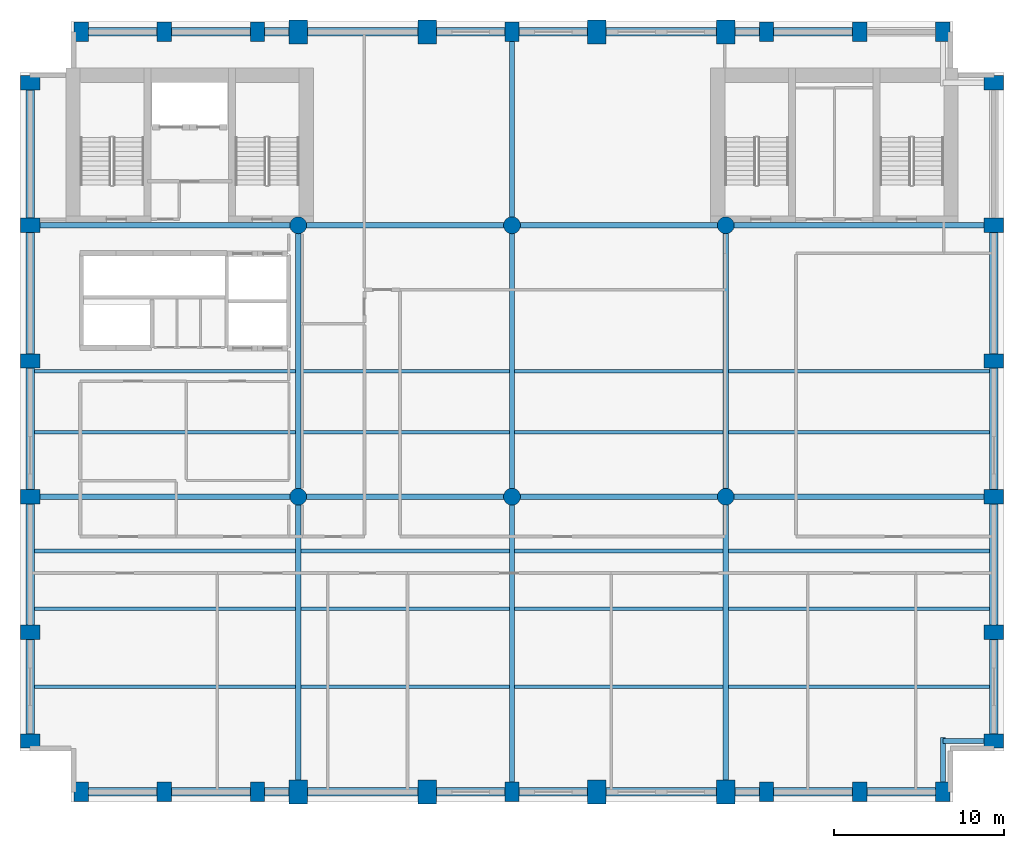
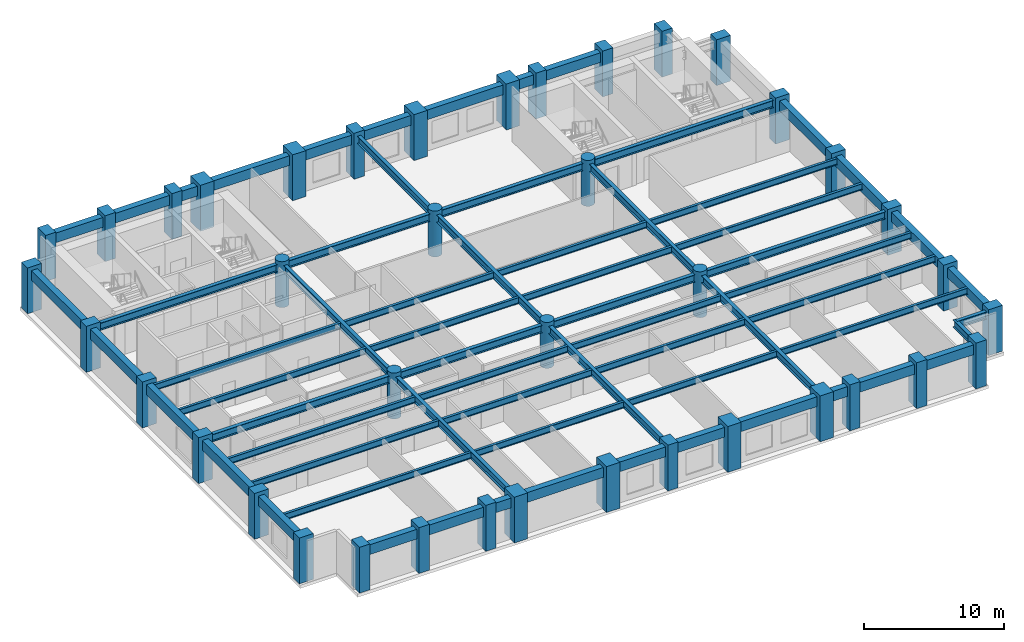
# One storey, part 1 of 8: 65 beams, 40 columns.
"""IFC4 building model written with IfcOpenShell, lengths in metres."""

from ifc_helpers import new_model, si_unit, direction, frame, origin, origin_2d, place, context, subcontext, project, spatial, rectangle, circle, i_section, extrude, material, material_profile, profile_set, type_object, element, save


model = new_model("IFC4")

# Units and contexts
model_context = context("Model", 3, precision=1e-05, world=origin(), true_north=direction((0.0, 1.0)))
body_context = subcontext(model_context, "Body", "Model", "MODEL_VIEW")
ifc_project = project(units=[si_unit("LENGTHUNIT", "METRE"), si_unit("AREAUNIT", "SQUARE_METRE"), si_unit("VOLUMEUNIT", "CUBIC_METRE"), si_unit("PLANEANGLEUNIT", "RADIAN"), si_unit("MASSUNIT", "GRAM", prefix="KILO")], contexts=[model_context])

# Site, building, storey
site_placement = place(None, origin())
site = spatial("IfcSite", under=ifc_project, at=site_placement, CompositionType="ELEMENT")
building_placement = place(site_placement, origin())
building = spatial("IfcBuilding", under=site, at=building_placement, Name="Sulina Concourse Tower", CompositionType="ELEMENT")
storey_placement = place(building_placement, frame((0.0, 0.0, 156.60009765625)))
storey = spatial("IfcBuildingStorey", under=building, at=storey_placement, Name="L38", CompositionType="ELEMENT", Elevation=156.60009765625)

# Columns
ifc_material_1 = material(Name="Concrete C60/75", Category="concrete")
ifc_material_profile_1 = material_profile(ifc_material_1, circle(Radius=0.5, at=origin_2d()), Name="RC D1000")
ifc_profile_set_1 = profile_set([ifc_material_profile_1], Name="Concrete C60/75")
column_type_1 = type_object("IfcColumnType", Name="Lower Interior Circular Column D1000", PredefinedType="COLUMN", material=ifc_profile_set_1)
for number, where, z_axis, x_axis, name in (
    (1, (16.39990234375, 18.0, 0.0), (0.0, 0.0, 1.0), (1.0, 0.0, 0.0), "L38 structural column IC-M-164"),
    (2, (16.39990234375, 34.0, 0.0), (0.0, 0.0, 1.0), (1.0, 0.0, 0.0), "L38 structural column IC-N-164"),
    (3, (29.0, 18.0, 0.0), (0.0, 0.0, 1.0), (1.0, 0.0, 0.0), "L38 structural column IC-M-290"),
    (4, (29.0, 34.0, 0.0), (0.0, 0.0, 1.0), (1.0, 0.0, 0.0), "L38 structural column IC-N-290"),
    (5, (41.60009765625, 18.0, 0.0), (0.0, 0.0, 1.0), (1.0, 0.0, 0.0), "L38 structural column IC-M-416"),
    (6, (41.60009765625, 34.0, 0.0), (0.0, 0.0, 1.0), (1.0, 0.0, 0.0), "L38 structural column IC-N-416"),
):
    element("IfcColumn", number, at=place(storey_placement, frame(where, z_axis=z_axis, x_axis=x_axis)), inside=storey, type_object=column_type_1, Name=name, PredefinedType="COLUMN", context=body_context, shape_type="SweptSolid", body=[
        extrude(circle(Radius=0.5, at=origin_2d()), origin(), (0.0, 0.0, 1.0), 4.0),
    ])
ifc_material_2 = material(Name="Concrete C60/75", Category="concrete")
ifc_material_profile_2 = material_profile(ifc_material_2, rectangle(XDim=1.10009765625, YDim=1.39990234375, at=origin_2d()), Name="RC 1100x1400")
ifc_profile_set_2 = profile_set([ifc_material_profile_2], Name="Concrete C60/75")
column_type_2 = type_object("IfcColumnType", Name="Mid-Rise Portal Column 1100x1400", PredefinedType="COLUMN", material=ifc_profile_set_2)
for number, where, z_axis, x_axis, name in (
    (7, (16.39990234375, 0.60009765625, 0.0), (0.0, 0.0, 1.0), (1.0, 0.0, 0.0), "L38 structural column TP-S-164"),
    (8, (16.39990234375, 45.39990234375, 0.0), (0.0, 0.0, 1.0), (1.0, 0.0, 0.0), "L38 structural column TP-N-164"),
    (9, (24.0, 0.60009765625, 0.0), (0.0, 0.0, 1.0), (1.0, 0.0, 0.0), "L38 structural column TP-S-240"),
    (10, (24.0, 45.39990234375, 0.0), (0.0, 0.0, 1.0), (1.0, 0.0, 0.0), "L38 structural column TP-N-240"),
    (11, (34.0, 0.60009765625, 0.0), (0.0, 0.0, 1.0), (1.0, 0.0, 0.0), "L38 structural column TP-S-340"),
    (12, (34.0, 45.39990234375, 0.0), (0.0, 0.0, 1.0), (1.0, 0.0, 0.0), "L38 structural column TP-N-340"),
    (13, (41.60009765625, 0.60009765625, 0.0), (0.0, 0.0, 1.0), (1.0, 0.0, 0.0), "L38 structural column TP-S-416"),
    (14, (41.60009765625, 45.39990234375, 0.0), (0.0, 0.0, 1.0), (1.0, 0.0, 0.0), "L38 structural column TP-N-416"),
):
    element("IfcColumn", number, at=place(storey_placement, frame(where, z_axis=z_axis, x_axis=x_axis)), inside=storey, type_object=column_type_2, Name=name, PredefinedType="COLUMN", context=body_context, shape_type="SweptSolid", body=[
        extrude(rectangle(XDim=1.10009765625, YDim=1.39990234375, at=origin_2d()), origin(), (0.0, 0.0, 1.0), 4.0),
    ])
ifc_material_3 = material(Name="Precast concrete C60/75", Category="concrete")
ifc_material_profile_3 = material_profile(ifc_material_3, rectangle(XDim=0.85009765625, YDim=1.14990234375, at=origin_2d()), Name="PC 850x1150")
ifc_profile_set_3 = profile_set([ifc_material_profile_3], Name="Precast concrete C60/75")
column_type_3 = type_object("IfcColumnType", Name="Precast Tube Pier Zone 2 850x1150", PredefinedType="COLUMN", material=ifc_profile_set_3)
for number, where, z_axis, x_axis, name in (
    (15, (3.60009765625, 0.60009765625, 0.0), (0.0, 0.0, 1.0), (1.0, 0.0, 0.0), "L38 structural column TP-S-36"),
    (16, (3.60009765625, 45.39990234375, 0.0), (0.0, 0.0, 1.0), (1.0, 0.0, 0.0), "L38 structural column TP-N-36"),
    (17, (8.5, 0.60009765625, 0.0), (0.0, 0.0, 1.0), (1.0, 0.0, 0.0), "L38 structural column TP-S-85"),
    (18, (8.5, 45.39990234375, 0.0), (0.0, 0.0, 1.0), (1.0, 0.0, 0.0), "L38 structural column TP-N-85"),
    (19, (14.0, 0.60009765625, 0.0), (0.0, 0.0, 1.0), (1.0, 0.0, 0.0), "L38 structural column TP-S-140"),
    (20, (14.0, 45.39990234375, 0.0), (0.0, 0.0, 1.0), (1.0, 0.0, 0.0), "L38 structural column TP-N-140"),
    (21, (29.0, 0.60009765625, 0.0), (0.0, 0.0, 1.0), (1.0, 0.0, 0.0), "L38 structural column TP-S-290"),
    (22, (29.0, 45.39990234375, 0.0), (0.0, 0.0, 1.0), (1.0, 0.0, 0.0), "L38 structural column TP-N-290"),
    (23, (44.0, 0.60009765625, 0.0), (0.0, 0.0, 1.0), (1.0, 0.0, 0.0), "L38 structural column TP-S-440"),
    (24, (44.0, 45.39990234375, 0.0), (0.0, 0.0, 1.0), (1.0, 0.0, 0.0), "L38 structural column TP-N-440"),
    (25, (49.5, 0.60009765625, 0.0), (0.0, 0.0, 1.0), (1.0, 0.0, 0.0), "L38 structural column TP-S-495"),
    (26, (49.5, 45.39990234375, 0.0), (0.0, 0.0, 1.0), (1.0, 0.0, 0.0), "L38 structural column TP-N-495"),
    (27, (54.39990234375, 0.60009765625, 0.0), (0.0, 0.0, 1.0), (1.0, 0.0, 0.0), "L38 structural column TP-S-544"),
    (28, (54.39990234375, 45.39990234375, 0.0), (0.0, 0.0, 1.0), (1.0, 0.0, 0.0), "L38 structural column TP-N-544"),
    (29, (0.60009765625, 3.60009765625, 0.0), (0.0, 0.0, 1.0), (0.0, 1.0, 0.0), "L38 structural column TP-W-36"),
    (30, (57.39990234375, 3.60009765625, 0.0), (0.0, 0.0, 1.0), (0.0, 1.0, 0.0), "L38 structural column TP-E-36"),
    (31, (0.60009765625, 10.0, 0.0), (0.0, 0.0, 1.0), (0.0, 1.0, 0.0), "L38 structural column TP-W-100"),
    (32, (57.39990234375, 10.0, 0.0), (0.0, 0.0, 1.0), (0.0, 1.0, 0.0), "L38 structural column TP-E-100"),
    (33, (0.60009765625, 18.0, 0.0), (0.0, 0.0, 1.0), (0.0, 1.0, 0.0), "L38 structural column TP-W-180"),
    (34, (57.39990234375, 18.0, 0.0), (0.0, 0.0, 1.0), (0.0, 1.0, 0.0), "L38 structural column TP-E-180"),
    (35, (0.60009765625, 26.0, 0.0), (0.0, 0.0, 1.0), (0.0, 1.0, 0.0), "L38 structural column TP-W-260"),
    (36, (57.39990234375, 26.0, 0.0), (0.0, 0.0, 1.0), (0.0, 1.0, 0.0), "L38 structural column TP-E-260"),
    (37, (0.60009765625, 34.0, 0.0), (0.0, 0.0, 1.0), (0.0, 1.0, 0.0), "L38 structural column TP-W-340"),
    (38, (57.39990234375, 34.0, 0.0), (0.0, 0.0, 1.0), (0.0, 1.0, 0.0), "L38 structural column TP-E-340"),
    (39, (0.60009765625, 42.39990234375, 0.0), (0.0, 0.0, 1.0), (0.0, 1.0, 0.0), "L38 structural column TP-W-424"),
    (40, (57.39990234375, 42.39990234375, 0.0), (0.0, 0.0, 1.0), (0.0, 1.0, 0.0), "L38 structural column TP-E-424"),
):
    element("IfcColumn", number, at=place(storey_placement, frame(where, z_axis=z_axis, x_axis=x_axis)), inside=storey, type_object=column_type_3, Name=name, PredefinedType="COLUMN", context=body_context, shape_type="SweptSolid", body=[
        extrude(rectangle(XDim=0.85009765625, YDim=1.14990234375, at=origin_2d()), origin(), (0.0, 0.0, 1.0), 4.0),
    ])

# Beams
ifc_material_4 = material(Name="Steel S355", Category="steel")
ifc_material_profile_4 = material_profile(ifc_material_4, i_section(OverallWidth=0.2099609375, OverallDepth=0.550048828125, WebThickness=0.010986328125, FlangeThickness=0.01708984375, at=origin_2d()), Name="IPE 550")
ifc_profile_set_4 = profile_set([ifc_material_profile_4], Name="Steel S355")
beam_type_1 = type_object("IfcBeamType", Name="Composite Floor Joist IPE550", PredefinedType="JOIST", material=ifc_profile_set_4)
beam_1_placement = place(storey_placement, frame((0.85009765625, 6.800048828125, 3.385009765625), z_axis=(1.0, 0.0, 0.0), x_axis=(0.0, 1.0, 0.0)))
element("IfcBeam", 41, at=beam_1_placement, inside=storey, type_object=beam_type_1, Name="FJ-J06-1-L38", PredefinedType="JOIST", context=body_context, shape_type="SweptSolid", body=[
    extrude(i_section(OverallWidth=0.2099609375, OverallDepth=0.550048828125, WebThickness=0.010986328125, FlangeThickness=0.01708984375, at=origin_2d()), origin(), (0.0, 0.0, 1.0), 15.39990234375),
])
for number, where, z_axis, x_axis, name in (
    (42, (16.550048828125, 6.800048828125, 3.385009765625), (1.0, 0.0, 0.0), (0.0, 1.0, 0.0), "FJ-J06-2-L38"),
    (43, (29.14990234375, 6.800048828125, 3.385009765625), (1.0, 0.0, 0.0), (0.0, 1.0, 0.0), "FJ-J06-3-L38"),
):
    element("IfcBeam", number, at=place(storey_placement, frame(where, z_axis=z_axis, x_axis=x_axis)), inside=storey, type_object=beam_type_1, Name=name, PredefinedType="JOIST", context=body_context, shape_type="SweptSolid", body=[
        extrude(i_section(OverallWidth=0.2099609375, OverallDepth=0.550048828125, WebThickness=0.010986328125, FlangeThickness=0.01708984375, at=origin_2d()), origin(), (0.0, 0.0, 1.0), 12.300048828125),
    ])
for number, where, z_axis, x_axis, name in (
    (44, (41.75, 6.800048828125, 3.385009765625), (1.0, 0.0, 0.0), (0.0, 1.0, 0.0), "FJ-J06-4-L38"),
    (45, (0.85009765625, 11.39990234375, 3.385009765625), (1.0, 0.0, 0.0), (0.0, 1.0, 0.0), "FJ-J11-1-L38"),
):
    element("IfcBeam", number, at=place(storey_placement, frame(where, z_axis=z_axis, x_axis=x_axis)), inside=storey, type_object=beam_type_1, Name=name, PredefinedType="JOIST", context=body_context, shape_type="SweptSolid", body=[
        extrude(i_section(OverallWidth=0.2099609375, OverallDepth=0.550048828125, WebThickness=0.010986328125, FlangeThickness=0.01708984375, at=origin_2d()), origin(), (0.0, 0.0, 1.0), 15.39990234375),
    ])
for number, where, z_axis, x_axis, name in (
    (46, (16.550048828125, 11.39990234375, 3.385009765625), (1.0, 0.0, 0.0), (0.0, 1.0, 0.0), "FJ-J11-2-L38"),
    (47, (29.14990234375, 11.39990234375, 3.385009765625), (1.0, 0.0, 0.0), (0.0, 1.0, 0.0), "FJ-J11-3-L38"),
):
    element("IfcBeam", number, at=place(storey_placement, frame(where, z_axis=z_axis, x_axis=x_axis)), inside=storey, type_object=beam_type_1, Name=name, PredefinedType="JOIST", context=body_context, shape_type="SweptSolid", body=[
        extrude(i_section(OverallWidth=0.2099609375, OverallDepth=0.550048828125, WebThickness=0.010986328125, FlangeThickness=0.01708984375, at=origin_2d()), origin(), (0.0, 0.0, 1.0), 12.300048828125),
    ])
for number, where, z_axis, x_axis, name in (
    (48, (41.75, 11.39990234375, 3.385009765625), (1.0, 0.0, 0.0), (0.0, 1.0, 0.0), "FJ-J11-4-L38"),
    (49, (0.85009765625, 14.800048828125, 3.385009765625), (1.0, 0.0, 0.0), (0.0, 1.0, 0.0), "FJ-J15-1-L38"),
):
    element("IfcBeam", number, at=place(storey_placement, frame(where, z_axis=z_axis, x_axis=x_axis)), inside=storey, type_object=beam_type_1, Name=name, PredefinedType="JOIST", context=body_context, shape_type="SweptSolid", body=[
        extrude(i_section(OverallWidth=0.2099609375, OverallDepth=0.550048828125, WebThickness=0.010986328125, FlangeThickness=0.01708984375, at=origin_2d()), origin(), (0.0, 0.0, 1.0), 15.39990234375),
    ])
for number, where, z_axis, x_axis, name in (
    (50, (16.550048828125, 14.800048828125, 3.385009765625), (1.0, 0.0, 0.0), (0.0, 1.0, 0.0), "FJ-J15-2-L38"),
    (51, (29.14990234375, 14.800048828125, 3.385009765625), (1.0, 0.0, 0.0), (0.0, 1.0, 0.0), "FJ-J15-3-L38"),
):
    element("IfcBeam", number, at=place(storey_placement, frame(where, z_axis=z_axis, x_axis=x_axis)), inside=storey, type_object=beam_type_1, Name=name, PredefinedType="JOIST", context=body_context, shape_type="SweptSolid", body=[
        extrude(i_section(OverallWidth=0.2099609375, OverallDepth=0.550048828125, WebThickness=0.010986328125, FlangeThickness=0.01708984375, at=origin_2d()), origin(), (0.0, 0.0, 1.0), 12.300048828125),
    ])
for number, where, z_axis, x_axis, name in (
    (52, (41.75, 14.800048828125, 3.385009765625), (1.0, 0.0, 0.0), (0.0, 1.0, 0.0), "FJ-J15-4-L38"),
    (53, (0.85009765625, 21.800048828125, 3.385009765625), (1.0, 0.0, 0.0), (0.0, 1.0, 0.0), "FJ-J22-1-L38"),
):
    element("IfcBeam", number, at=place(storey_placement, frame(where, z_axis=z_axis, x_axis=x_axis)), inside=storey, type_object=beam_type_1, Name=name, PredefinedType="JOIST", context=body_context, shape_type="SweptSolid", body=[
        extrude(i_section(OverallWidth=0.2099609375, OverallDepth=0.550048828125, WebThickness=0.010986328125, FlangeThickness=0.01708984375, at=origin_2d()), origin(), (0.0, 0.0, 1.0), 15.39990234375),
    ])
for number, where, z_axis, x_axis, name in (
    (54, (16.550048828125, 21.800048828125, 3.385009765625), (1.0, 0.0, 0.0), (0.0, 1.0, 0.0), "FJ-J22-2-L38"),
    (55, (29.14990234375, 21.800048828125, 3.385009765625), (1.0, 0.0, 0.0), (0.0, 1.0, 0.0), "FJ-J22-3-L38"),
):
    element("IfcBeam", number, at=place(storey_placement, frame(where, z_axis=z_axis, x_axis=x_axis)), inside=storey, type_object=beam_type_1, Name=name, PredefinedType="JOIST", context=body_context, shape_type="SweptSolid", body=[
        extrude(i_section(OverallWidth=0.2099609375, OverallDepth=0.550048828125, WebThickness=0.010986328125, FlangeThickness=0.01708984375, at=origin_2d()), origin(), (0.0, 0.0, 1.0), 12.300048828125),
    ])
for number, where, z_axis, x_axis, name in (
    (56, (41.75, 21.800048828125, 3.385009765625), (1.0, 0.0, 0.0), (0.0, 1.0, 0.0), "FJ-J22-4-L38"),
    (57, (0.85009765625, 25.39990234375, 3.385009765625), (1.0, 0.0, 0.0), (0.0, 1.0, 0.0), "FJ-J25-1-L38"),
):
    element("IfcBeam", number, at=place(storey_placement, frame(where, z_axis=z_axis, x_axis=x_axis)), inside=storey, type_object=beam_type_1, Name=name, PredefinedType="JOIST", context=body_context, shape_type="SweptSolid", body=[
        extrude(i_section(OverallWidth=0.2099609375, OverallDepth=0.550048828125, WebThickness=0.010986328125, FlangeThickness=0.01708984375, at=origin_2d()), origin(), (0.0, 0.0, 1.0), 15.39990234375),
    ])
for number, where, z_axis, x_axis, name in (
    (58, (16.550048828125, 25.39990234375, 3.385009765625), (1.0, 0.0, 0.0), (0.0, 1.0, 0.0), "FJ-J25-2-L38"),
    (59, (29.14990234375, 25.39990234375, 3.385009765625), (1.0, 0.0, 0.0), (0.0, 1.0, 0.0), "FJ-J25-3-L38"),
):
    element("IfcBeam", number, at=place(storey_placement, frame(where, z_axis=z_axis, x_axis=x_axis)), inside=storey, type_object=beam_type_1, Name=name, PredefinedType="JOIST", context=body_context, shape_type="SweptSolid", body=[
        extrude(i_section(OverallWidth=0.2099609375, OverallDepth=0.550048828125, WebThickness=0.010986328125, FlangeThickness=0.01708984375, at=origin_2d()), origin(), (0.0, 0.0, 1.0), 12.300048828125),
    ])
beam_2_placement = place(storey_placement, frame((41.75, 25.39990234375, 3.385009765625), z_axis=(1.0, 0.0, 0.0), x_axis=(0.0, 1.0, 0.0)))
element("IfcBeam", 60, at=beam_2_placement, inside=storey, type_object=beam_type_1, Name="FJ-J25-4-L38", PredefinedType="JOIST", context=body_context, shape_type="SweptSolid", body=[
    extrude(i_section(OverallWidth=0.2099609375, OverallDepth=0.550048828125, WebThickness=0.010986328125, FlangeThickness=0.01708984375, at=origin_2d()), origin(), (0.0, 0.0, 1.0), 15.39990234375),
])
ifc_material_5 = material(Name="Steel S355", Category="steel")
ifc_material_profile_5 = material_profile(ifc_material_5, i_section(OverallWidth=0.300048828125, OverallDepth=0.64990234375, WebThickness=0.01611328125, FlangeThickness=0.031005859375, at=origin_2d()), Name="HE 650 B")
ifc_profile_set_5 = profile_set([ifc_material_profile_5], Name="Steel S355")
beam_type_2 = type_object("IfcBeamType", Name="Floor Primary Girder Zone 2 HE650B", PredefinedType="BEAM", material=ifc_profile_set_5)
beam_3_placement = place(storey_placement, frame((54.39990234375, 3.60009765625, 3.3349609375), z_axis=(1.0, 0.0, 0.0), x_axis=(0.0, 1.0, 0.0)))
element("IfcBeam", 61, at=beam_3_placement, inside=storey, type_object=beam_type_2, Name="TIE-SE-L38", PredefinedType="BEAM", context=body_context, shape_type="SweptSolid", body=[
    extrude(i_section(OverallWidth=0.300048828125, OverallDepth=0.64990234375, WebThickness=0.01611328125, FlangeThickness=0.031005859375, at=origin_2d()), origin(), (0.0, 0.0, 1.0), 2.59521484375),
])
beam_4_placement = place(storey_placement, frame((54.39990234375, 1.0048828125, 3.3349609375), z_axis=(0.0, 1.0, 0.0), x_axis=(-1.0, 0.0, 0.0)))
element("IfcBeam", 62, at=beam_4_placement, inside=storey, type_object=beam_type_2, Name="TIE-SES-L38", PredefinedType="BEAM", context=body_context, shape_type="SweptSolid", body=[
    extrude(i_section(OverallWidth=0.300048828125, OverallDepth=0.64990234375, WebThickness=0.01611328125, FlangeThickness=0.031005859375, at=origin_2d()), origin(), (0.0, 0.0, 1.0), 2.795166015625),
])
beam_5_placement = place(storey_placement, frame((1.0048828125, 18.0, 3.3349609375), z_axis=(1.0, 0.0, 0.0), x_axis=(0.0, 1.0, 0.0)))
element("IfcBeam", 63, at=beam_5_placement, inside=storey, type_object=beam_type_2, Name="FG-EW1-L38", PredefinedType="BEAM", context=body_context, shape_type="SweptSolid", body=[
    extrude(i_section(OverallWidth=0.300048828125, OverallDepth=0.64990234375, WebThickness=0.01611328125, FlangeThickness=0.031005859375, at=origin_2d()), origin(), (0.0, 0.0, 1.0), 14.9150390625),
])
for number, where, z_axis, x_axis, name in (
    (64, (16.8798828125, 18.0, 3.3349609375), (1.0, 0.0, 0.0), (0.0, 1.0, 0.0), "FG-EW2-L38"),
    (65, (29.47998046875, 18.0, 3.3349609375), (1.0, 0.0, 0.0), (0.0, 1.0, 0.0), "FG-EW3-L38"),
):
    element("IfcBeam", number, at=place(storey_placement, frame(where, z_axis=z_axis, x_axis=x_axis)), inside=storey, type_object=beam_type_2, Name=name, PredefinedType="BEAM", context=body_context, shape_type="SweptSolid", body=[
        extrude(i_section(OverallWidth=0.300048828125, OverallDepth=0.64990234375, WebThickness=0.01611328125, FlangeThickness=0.031005859375, at=origin_2d()), origin(), (0.0, 0.0, 1.0), 11.64013671875),
    ])
for number, where, z_axis, x_axis, name in (
    (66, (42.080078125, 18.0, 3.3349609375), (1.0, 0.0, 0.0), (0.0, 1.0, 0.0), "FG-EW4-L38"),
    (67, (1.0048828125, 34.0, 3.3349609375), (1.0, 0.0, 0.0), (0.0, 1.0, 0.0), "FG-EWN1-L38"),
):
    element("IfcBeam", number, at=place(storey_placement, frame(where, z_axis=z_axis, x_axis=x_axis)), inside=storey, type_object=beam_type_2, Name=name, PredefinedType="BEAM", context=body_context, shape_type="SweptSolid", body=[
        extrude(i_section(OverallWidth=0.300048828125, OverallDepth=0.64990234375, WebThickness=0.01611328125, FlangeThickness=0.031005859375, at=origin_2d()), origin(), (0.0, 0.0, 1.0), 14.9150390625),
    ])
for number, where, z_axis, x_axis, name in (
    (68, (16.8798828125, 34.0, 3.3349609375), (1.0, 0.0, 0.0), (0.0, 1.0, 0.0), "FG-EWN2-L38"),
    (69, (29.47998046875, 34.0, 3.3349609375), (1.0, 0.0, 0.0), (0.0, 1.0, 0.0), "FG-EWN3-L38"),
):
    element("IfcBeam", number, at=place(storey_placement, frame(where, z_axis=z_axis, x_axis=x_axis)), inside=storey, type_object=beam_type_2, Name=name, PredefinedType="BEAM", context=body_context, shape_type="SweptSolid", body=[
        extrude(i_section(OverallWidth=0.300048828125, OverallDepth=0.64990234375, WebThickness=0.01611328125, FlangeThickness=0.031005859375, at=origin_2d()), origin(), (0.0, 0.0, 1.0), 11.64013671875),
    ])
beam_6_placement = place(storey_placement, frame((42.080078125, 34.0, 3.3349609375), z_axis=(1.0, 0.0, 0.0), x_axis=(0.0, 1.0, 0.0)))
element("IfcBeam", 70, at=beam_6_placement, inside=storey, type_object=beam_type_2, Name="FG-EWN4-L38", PredefinedType="BEAM", context=body_context, shape_type="SweptSolid", body=[
    extrude(i_section(OverallWidth=0.300048828125, OverallDepth=0.64990234375, WebThickness=0.01611328125, FlangeThickness=0.031005859375, at=origin_2d()), origin(), (0.0, 0.0, 1.0), 14.9150390625),
])
beam_7_placement = place(storey_placement, frame((16.39990234375, 1.1298828125, 3.3349609375), z_axis=(0.0, 1.0, 0.0), x_axis=(-1.0, 0.0, 0.0)))
element("IfcBeam", 71, at=beam_7_placement, inside=storey, type_object=beam_type_2, Name="FG-NSA-16-L38", PredefinedType="BEAM", context=body_context, shape_type="SweptSolid", body=[
    extrude(i_section(OverallWidth=0.300048828125, OverallDepth=0.64990234375, WebThickness=0.01611328125, FlangeThickness=0.031005859375, at=origin_2d()), origin(), (0.0, 0.0, 1.0), 16.39013671875),
])
beam_8_placement = place(storey_placement, frame((16.39990234375, 18.47998046875, 3.3349609375), z_axis=(0.0, 1.0, 0.0), x_axis=(-1.0, 0.0, 0.0)))
element("IfcBeam", 72, at=beam_8_placement, inside=storey, type_object=beam_type_2, Name="FG-NSB-16-L38", PredefinedType="BEAM", context=body_context, shape_type="SweptSolid", body=[
    extrude(i_section(OverallWidth=0.300048828125, OverallDepth=0.64990234375, WebThickness=0.01611328125, FlangeThickness=0.031005859375, at=origin_2d()), origin(), (0.0, 0.0, 1.0), 15.0400390625),
])
beam_9_placement = place(storey_placement, frame((29.0, 1.0048828125, 3.3349609375), z_axis=(0.0, 1.0, 0.0), x_axis=(-1.0, 0.0, 0.0)))
element("IfcBeam", 73, at=beam_9_placement, inside=storey, type_object=beam_type_2, Name="FG-NSA-29-L38", PredefinedType="BEAM", context=body_context, shape_type="SweptSolid", body=[
    extrude(i_section(OverallWidth=0.300048828125, OverallDepth=0.64990234375, WebThickness=0.01611328125, FlangeThickness=0.031005859375, at=origin_2d()), origin(), (0.0, 0.0, 1.0), 16.51513671875),
])
beam_10_placement = place(storey_placement, frame((29.0, 18.47998046875, 3.3349609375), z_axis=(0.0, 1.0, 0.0), x_axis=(-1.0, 0.0, 0.0)))
element("IfcBeam", 74, at=beam_10_placement, inside=storey, type_object=beam_type_2, Name="FG-NSB-29-L38", PredefinedType="BEAM", context=body_context, shape_type="SweptSolid", body=[
    extrude(i_section(OverallWidth=0.300048828125, OverallDepth=0.64990234375, WebThickness=0.01611328125, FlangeThickness=0.031005859375, at=origin_2d()), origin(), (0.0, 0.0, 1.0), 15.0400390625),
])
beam_11_placement = place(storey_placement, frame((29.0, 34.47998046875, 3.3349609375), z_axis=(0.0, 1.0, 0.0), x_axis=(-1.0, 0.0, 0.0)))
element("IfcBeam", 75, at=beam_11_placement, inside=storey, type_object=beam_type_2, Name="FG-NSC-29-L38", PredefinedType="BEAM", context=body_context, shape_type="SweptSolid", body=[
    extrude(i_section(OverallWidth=0.300048828125, OverallDepth=0.64990234375, WebThickness=0.01611328125, FlangeThickness=0.031005859375, at=origin_2d()), origin(), (0.0, 0.0, 1.0), 10.51513671875),
])
beam_12_placement = place(storey_placement, frame((41.60009765625, 1.1298828125, 3.3349609375), z_axis=(0.0, 1.0, 0.0), x_axis=(-1.0, 0.0, 0.0)))
element("IfcBeam", 76, at=beam_12_placement, inside=storey, type_object=beam_type_2, Name="FG-NSA-41-L38", PredefinedType="BEAM", context=body_context, shape_type="SweptSolid", body=[
    extrude(i_section(OverallWidth=0.300048828125, OverallDepth=0.64990234375, WebThickness=0.01611328125, FlangeThickness=0.031005859375, at=origin_2d()), origin(), (0.0, 0.0, 1.0), 16.39013671875),
])
beam_13_placement = place(storey_placement, frame((41.60009765625, 18.47998046875, 3.3349609375), z_axis=(0.0, 1.0, 0.0), x_axis=(-1.0, 0.0, 0.0)))
element("IfcBeam", 77, at=beam_13_placement, inside=storey, type_object=beam_type_2, Name="FG-NSB-41-L38", PredefinedType="BEAM", context=body_context, shape_type="SweptSolid", body=[
    extrude(i_section(OverallWidth=0.300048828125, OverallDepth=0.64990234375, WebThickness=0.01611328125, FlangeThickness=0.031005859375, at=origin_2d()), origin(), (0.0, 0.0, 1.0), 15.0400390625),
])
ifc_material_6 = material(Name="Precast concrete C50/60", Category="concrete")
ifc_material_profile_6 = material_profile(ifc_material_6, rectangle(XDim=0.5, YDim=0.85009765625, at=origin_2d()), Name="RC 500x850")
ifc_profile_set_6 = profile_set([ifc_material_profile_6], Name="Precast concrete C50/60")
beam_type_3 = type_object("IfcBeamType", Name="Lower Precast Spandrel Edge Beam 500x850", PredefinedType="BEAM", material=ifc_profile_set_6)
beam_14_placement = place(storey_placement, frame((4.0048828125, 0.60009765625, 3.23486328125), z_axis=(1.0, 0.0, 0.0), x_axis=(0.0, 1.0, 0.0)))
element("IfcBeam", 78, at=beam_14_placement, inside=storey, type_object=beam_type_3, Name="SP-S1-L38", PredefinedType="BEAM", context=body_context, shape_type="SweptSolid", body=[
    extrude(rectangle(XDim=0.5, YDim=0.85009765625, at=origin_2d()), origin(), (0.0, 0.0, 1.0), 4.090087890625),
])
beam_15_placement = place(storey_placement, frame((8.905029296875, 0.60009765625, 3.23486328125), z_axis=(1.0, 0.0, 0.0), x_axis=(0.0, 1.0, 0.0)))
element("IfcBeam", 79, at=beam_15_placement, inside=storey, type_object=beam_type_3, Name="SP-S2-L38", PredefinedType="BEAM", context=body_context, shape_type="SweptSolid", body=[
    extrude(rectangle(XDim=0.5, YDim=0.85009765625, at=origin_2d()), origin(), (0.0, 0.0, 1.0), 4.68994140625),
])
beam_16_placement = place(storey_placement, frame((14.405029296875, 0.60009765625, 3.23486328125), z_axis=(1.0, 0.0, 0.0), x_axis=(0.0, 1.0, 0.0)))
element("IfcBeam", 80, at=beam_16_placement, inside=storey, type_object=beam_type_3, Name="SP-S3-L38", PredefinedType="BEAM", context=body_context, shape_type="SweptSolid", body=[
    extrude(rectangle(XDim=0.5, YDim=0.85009765625, at=origin_2d()), origin(), (0.0, 0.0, 1.0), 1.465087890625),
])
beam_17_placement = place(storey_placement, frame((16.929931640625, 0.60009765625, 3.23486328125), z_axis=(1.0, 0.0, 0.0), x_axis=(0.0, 1.0, 0.0)))
element("IfcBeam", 81, at=beam_17_placement, inside=storey, type_object=beam_type_3, Name="SP-S4-L38", PredefinedType="BEAM", context=body_context, shape_type="SweptSolid", body=[
    extrude(rectangle(XDim=0.5, YDim=0.85009765625, at=origin_2d()), origin(), (0.0, 0.0, 1.0), 6.5400390625),
])
for number, where, z_axis, x_axis, name in (
    (82, (24.530029296875, 0.60009765625, 3.23486328125), (1.0, 0.0, 0.0), (0.0, 1.0, 0.0), "SP-S5-L38"),
    (83, (29.405029296875, 0.60009765625, 3.23486328125), (1.0, 0.0, 0.0), (0.0, 1.0, 0.0), "SP-S6-L38"),
):
    element("IfcBeam", number, at=place(storey_placement, frame(where, z_axis=z_axis, x_axis=x_axis)), inside=storey, type_object=beam_type_3, Name=name, PredefinedType="BEAM", context=body_context, shape_type="SweptSolid", body=[
        extrude(rectangle(XDim=0.5, YDim=0.85009765625, at=origin_2d()), origin(), (0.0, 0.0, 1.0), 4.06494140625),
    ])
beam_18_placement = place(storey_placement, frame((34.530029296875, 0.60009765625, 3.23486328125), z_axis=(1.0, 0.0, 0.0), x_axis=(0.0, 1.0, 0.0)))
element("IfcBeam", 84, at=beam_18_placement, inside=storey, type_object=beam_type_3, Name="SP-S7-L38", PredefinedType="BEAM", context=body_context, shape_type="SweptSolid", body=[
    extrude(rectangle(XDim=0.5, YDim=0.85009765625, at=origin_2d()), origin(), (0.0, 0.0, 1.0), 6.5400390625),
])
beam_19_placement = place(storey_placement, frame((42.1298828125, 0.60009765625, 3.23486328125), z_axis=(1.0, 0.0, 0.0), x_axis=(0.0, 1.0, 0.0)))
element("IfcBeam", 85, at=beam_19_placement, inside=storey, type_object=beam_type_3, Name="SP-S8-L38", PredefinedType="BEAM", context=body_context, shape_type="SweptSolid", body=[
    extrude(rectangle(XDim=0.5, YDim=0.85009765625, at=origin_2d()), origin(), (0.0, 0.0, 1.0), 1.465087890625),
])
beam_20_placement = place(storey_placement, frame((44.405029296875, 0.60009765625, 3.23486328125), z_axis=(1.0, 0.0, 0.0), x_axis=(0.0, 1.0, 0.0)))
element("IfcBeam", 86, at=beam_20_placement, inside=storey, type_object=beam_type_3, Name="SP-S9-L38", PredefinedType="BEAM", context=body_context, shape_type="SweptSolid", body=[
    extrude(rectangle(XDim=0.5, YDim=0.85009765625, at=origin_2d()), origin(), (0.0, 0.0, 1.0), 4.68994140625),
])
for number, where, z_axis, x_axis, name in (
    (87, (49.905029296875, 0.60009765625, 3.23486328125), (1.0, 0.0, 0.0), (0.0, 1.0, 0.0), "SP-S10-L38"),
    (88, (4.0048828125, 45.39990234375, 3.23486328125), (1.0, 0.0, 0.0), (0.0, 1.0, 0.0), "SP-N1-L38"),
):
    element("IfcBeam", number, at=place(storey_placement, frame(where, z_axis=z_axis, x_axis=x_axis)), inside=storey, type_object=beam_type_3, Name=name, PredefinedType="BEAM", context=body_context, shape_type="SweptSolid", body=[
        extrude(rectangle(XDim=0.5, YDim=0.85009765625, at=origin_2d()), origin(), (0.0, 0.0, 1.0), 4.090087890625),
    ])
beam_21_placement = place(storey_placement, frame((8.905029296875, 45.39990234375, 3.23486328125), z_axis=(1.0, 0.0, 0.0), x_axis=(0.0, 1.0, 0.0)))
element("IfcBeam", 89, at=beam_21_placement, inside=storey, type_object=beam_type_3, Name="SP-N2-L38", PredefinedType="BEAM", context=body_context, shape_type="SweptSolid", body=[
    extrude(rectangle(XDim=0.5, YDim=0.85009765625, at=origin_2d()), origin(), (0.0, 0.0, 1.0), 4.68994140625),
])
beam_22_placement = place(storey_placement, frame((14.405029296875, 45.39990234375, 3.23486328125), z_axis=(1.0, 0.0, 0.0), x_axis=(0.0, 1.0, 0.0)))
element("IfcBeam", 90, at=beam_22_placement, inside=storey, type_object=beam_type_3, Name="SP-N3-L38", PredefinedType="BEAM", context=body_context, shape_type="SweptSolid", body=[
    extrude(rectangle(XDim=0.5, YDim=0.85009765625, at=origin_2d()), origin(), (0.0, 0.0, 1.0), 1.465087890625),
])
beam_23_placement = place(storey_placement, frame((16.929931640625, 45.39990234375, 3.23486328125), z_axis=(1.0, 0.0, 0.0), x_axis=(0.0, 1.0, 0.0)))
element("IfcBeam", 91, at=beam_23_placement, inside=storey, type_object=beam_type_3, Name="SP-N4-L38", PredefinedType="BEAM", context=body_context, shape_type="SweptSolid", body=[
    extrude(rectangle(XDim=0.5, YDim=0.85009765625, at=origin_2d()), origin(), (0.0, 0.0, 1.0), 6.5400390625),
])
for number, where, z_axis, x_axis, name in (
    (92, (24.530029296875, 45.39990234375, 3.23486328125), (1.0, 0.0, 0.0), (0.0, 1.0, 0.0), "SP-N5-L38"),
    (93, (29.405029296875, 45.39990234375, 3.23486328125), (1.0, 0.0, 0.0), (0.0, 1.0, 0.0), "SP-N6-L38"),
):
    element("IfcBeam", number, at=place(storey_placement, frame(where, z_axis=z_axis, x_axis=x_axis)), inside=storey, type_object=beam_type_3, Name=name, PredefinedType="BEAM", context=body_context, shape_type="SweptSolid", body=[
        extrude(rectangle(XDim=0.5, YDim=0.85009765625, at=origin_2d()), origin(), (0.0, 0.0, 1.0), 4.06494140625),
    ])
beam_24_placement = place(storey_placement, frame((34.530029296875, 45.39990234375, 3.23486328125), z_axis=(1.0, 0.0, 0.0), x_axis=(0.0, 1.0, 0.0)))
element("IfcBeam", 94, at=beam_24_placement, inside=storey, type_object=beam_type_3, Name="SP-N7-L38", PredefinedType="BEAM", context=body_context, shape_type="SweptSolid", body=[
    extrude(rectangle(XDim=0.5, YDim=0.85009765625, at=origin_2d()), origin(), (0.0, 0.0, 1.0), 6.5400390625),
])
beam_25_placement = place(storey_placement, frame((42.1298828125, 45.39990234375, 3.23486328125), z_axis=(1.0, 0.0, 0.0), x_axis=(0.0, 1.0, 0.0)))
element("IfcBeam", 95, at=beam_25_placement, inside=storey, type_object=beam_type_3, Name="SP-N8-L38", PredefinedType="BEAM", context=body_context, shape_type="SweptSolid", body=[
    extrude(rectangle(XDim=0.5, YDim=0.85009765625, at=origin_2d()), origin(), (0.0, 0.0, 1.0), 1.465087890625),
])
beam_26_placement = place(storey_placement, frame((44.405029296875, 45.39990234375, 3.23486328125), z_axis=(1.0, 0.0, 0.0), x_axis=(0.0, 1.0, 0.0)))
element("IfcBeam", 96, at=beam_26_placement, inside=storey, type_object=beam_type_3, Name="SP-N9-L38", PredefinedType="BEAM", context=body_context, shape_type="SweptSolid", body=[
    extrude(rectangle(XDim=0.5, YDim=0.85009765625, at=origin_2d()), origin(), (0.0, 0.0, 1.0), 4.68994140625),
])
beam_27_placement = place(storey_placement, frame((0.60009765625, 4.0048828125, 3.23486328125), z_axis=(0.0, 1.0, 0.0), x_axis=(-1.0, 0.0, 0.0)))
element("IfcBeam", 97, at=beam_27_placement, inside=storey, type_object=beam_type_3, Name="SP-W1-L38", PredefinedType="BEAM", context=body_context, shape_type="SweptSolid", body=[
    extrude(rectangle(XDim=0.5, YDim=0.85009765625, at=origin_2d()), origin(), (0.0, 0.0, 1.0), 5.590087890625),
])
for number, where, z_axis, x_axis, name in (
    (98, (0.60009765625, 10.405029296875, 3.23486328125), (0.0, 1.0, 0.0), (-1.0, 0.0, 0.0), "SP-W2-L38"),
    (99, (0.60009765625, 18.405029296875, 3.23486328125), (0.0, 1.0, 0.0), (-1.0, 0.0, 0.0), "SP-W3-L38"),
    (100, (0.60009765625, 26.405029296875, 3.23486328125), (0.0, 1.0, 0.0), (-1.0, 0.0, 0.0), "SP-W4-L38"),
):
    element("IfcBeam", number, at=place(storey_placement, frame(where, z_axis=z_axis, x_axis=x_axis)), inside=storey, type_object=beam_type_3, Name=name, PredefinedType="BEAM", context=body_context, shape_type="SweptSolid", body=[
        extrude(rectangle(XDim=0.5, YDim=0.85009765625, at=origin_2d()), origin(), (0.0, 0.0, 1.0), 7.18994140625),
    ])
beam_28_placement = place(storey_placement, frame((0.60009765625, 34.405029296875, 3.23486328125), z_axis=(0.0, 1.0, 0.0), x_axis=(-1.0, 0.0, 0.0)))
element("IfcBeam", 101, at=beam_28_placement, inside=storey, type_object=beam_type_3, Name="SP-W5-L38", PredefinedType="BEAM", context=body_context, shape_type="SweptSolid", body=[
    extrude(rectangle(XDim=0.5, YDim=0.85009765625, at=origin_2d()), origin(), (0.0, 0.0, 1.0), 7.590087890625),
])
beam_29_placement = place(storey_placement, frame((57.39990234375, 4.0048828125, 3.23486328125), z_axis=(0.0, 1.0, 0.0), x_axis=(-1.0, 0.0, 0.0)))
element("IfcBeam", 102, at=beam_29_placement, inside=storey, type_object=beam_type_3, Name="SP-E1-L38", PredefinedType="BEAM", context=body_context, shape_type="SweptSolid", body=[
    extrude(rectangle(XDim=0.5, YDim=0.85009765625, at=origin_2d()), origin(), (0.0, 0.0, 1.0), 5.590087890625),
])
for number, where, z_axis, x_axis, name in (
    (103, (57.39990234375, 10.405029296875, 3.23486328125), (0.0, 1.0, 0.0), (-1.0, 0.0, 0.0), "SP-E2-L38"),
    (104, (57.39990234375, 18.405029296875, 3.23486328125), (0.0, 1.0, 0.0), (-1.0, 0.0, 0.0), "SP-E3-L38"),
    (105, (57.39990234375, 26.405029296875, 3.23486328125), (0.0, 1.0, 0.0), (-1.0, 0.0, 0.0), "SP-E4-L38"),
):
    element("IfcBeam", number, at=place(storey_placement, frame(where, z_axis=z_axis, x_axis=x_axis)), inside=storey, type_object=beam_type_3, Name=name, PredefinedType="BEAM", context=body_context, shape_type="SweptSolid", body=[
        extrude(rectangle(XDim=0.5, YDim=0.85009765625, at=origin_2d()), origin(), (0.0, 0.0, 1.0), 7.18994140625),
    ])

save(model, "model.ifc")
